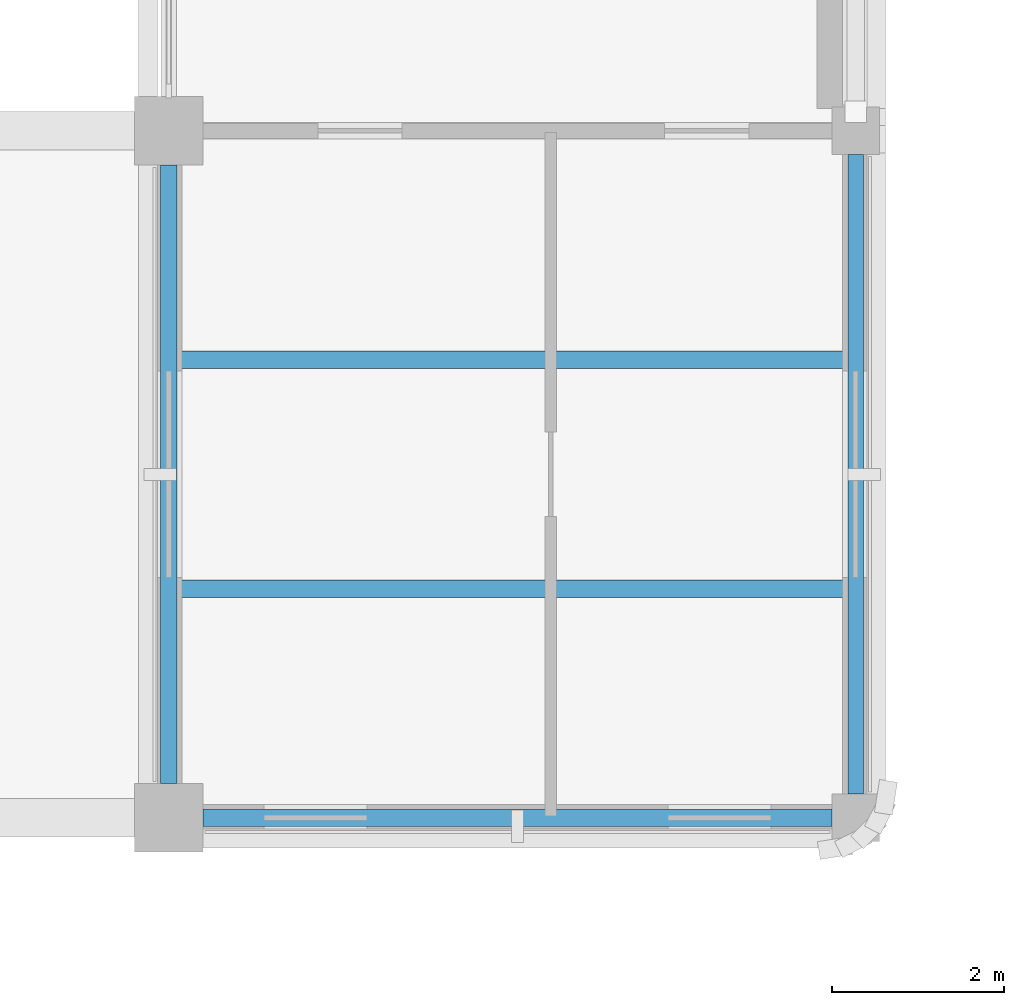
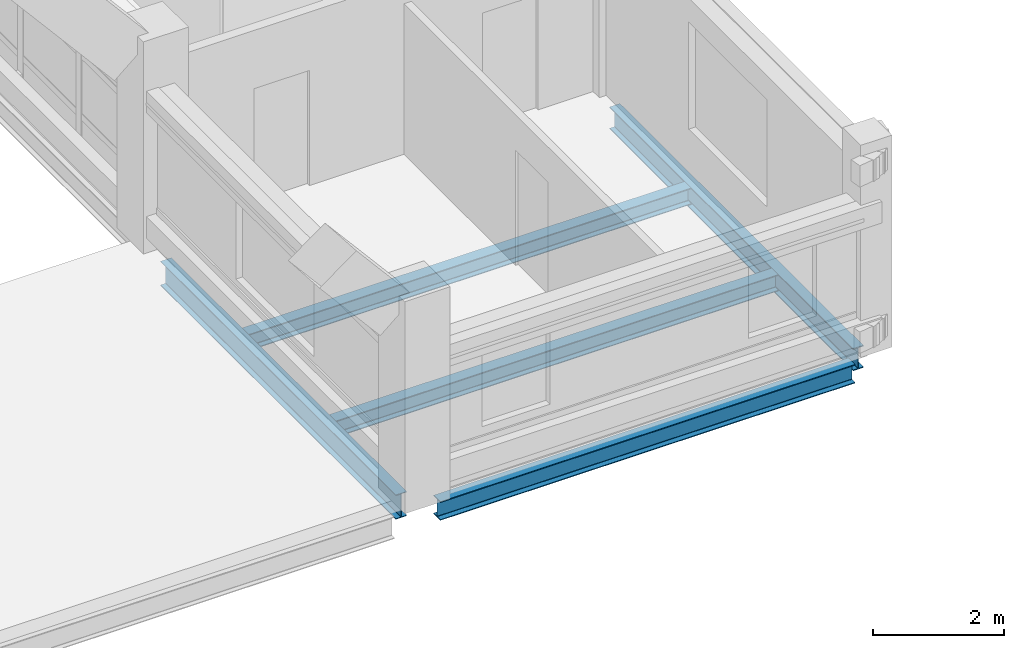
# One storey, part 16 of 92: 5 beams.
"""IFC4 building model written with IfcOpenShell, lengths in metres."""

import ifcopenshell
import ifcopenshell.guid

model = None  # the IFC model being written
_history = None  # IfcOwnerHistory: only IFC2X3 demands one
_inside = {}  # id of a spatial element -> (the spatial element, [elements in it])
_under = {}  # id of a project, library or spatial element -> (it, [spatial elements below it])
_declared = {}  # id of a project -> (the project, [libraries it declares])
_typed = {}  # id of a type object -> (the type object, [elements of that type])
_made_of = {}  # id of a material, layer set ... -> (it, [elements and type objects made of it])


def new_model(schema):
    """Start an empty IFC model of exactly this schema.

    Asked for "IFC4X3", IfcOpenShell would pick the latest addendum, in which some entities
    have other attributes; the version numbers below select the first issue.
    IFC2X3 requires an IfcOwnerHistory on every rooted entity: one is made here for all.
    """
    global model, _history
    if schema == "IFC4X3":
        model = ifcopenshell.file(schema_version=(4, 3, 0, 0))
    else:
        model = ifcopenshell.file(schema=schema)
    _inside.clear()
    _under.clear()
    _declared.clear()
    _typed.clear()
    _made_of.clear()
    _history = None
    if model.schema == "IFC2X3":
        org = make("IfcOrganization", Name="unknown")
        user = make(
            "IfcPersonAndOrganization",
            ThePerson=make("IfcPerson", FamilyName="unknown"),
            TheOrganization=org,
        )
        app = make(
            "IfcApplication",
            ApplicationDeveloper=org,
            Version="unknown",
            ApplicationFullName="unknown",
            ApplicationIdentifier="unknown",
        )
        _history = make(
            "IfcOwnerHistory",
            OwningUser=user,
            OwningApplication=app,
            ChangeAction="ADDED",
            CreationDate=0,
        )
    return model


def make(cls, **values):
    """One entity of the class cls with the attributes given. An attribute that is None is left unset."""
    return model.create_entity(
        cls, **{name: value for name, value in values.items() if value is not None}
    )


def rooted(cls, **values):
    """An entity with a GlobalId (a new one), such as an element, a storey or a relation."""
    return make(cls, GlobalId=ifcopenshell.guid.new(), OwnerHistory=_history, **values)


def si_unit(unit_type, name, prefix=None):
    """IfcSIUnit, for example si_unit("LENGTHUNIT", "METRE", prefix="MILLI")."""
    return make("IfcSIUnit", UnitType=unit_type, Prefix=prefix, Name=name)


def derived_unit(unit_type, elements):
    """IfcDerivedUnit: a product of units, each with its exponent."""
    return make(
        "IfcDerivedUnit",
        Elements=[
            make("IfcDerivedUnitElement", Unit=unit, Exponent=power)
            for unit, power in elements
        ],
        UnitType=unit_type,
    )


def assignment(units):
    """IfcUnitAssignment: the units of a project."""
    return None if units is None else make("IfcUnitAssignment", Units=units)


def point(xyz):
    """IfcCartesianPoint."""
    return None if xyz is None else make("IfcCartesianPoint", Coordinates=xyz)


def direction(xyz):
    """IfcDirection."""
    return None if xyz is None else make("IfcDirection", DirectionRatios=xyz)


def frame(location, z_axis=None, x_axis=None):
    """IfcAxis2Placement3D, a coordinate frame: its origin and axes. An axis left out is left unset."""
    return make(
        "IfcAxis2Placement3D",
        Location=point(location),
        Axis=direction(z_axis),
        RefDirection=direction(x_axis),
    )


def frame_2d(location, x_axis=None):
    """IfcAxis2Placement2D, a coordinate frame in the plane: its origin and x axis."""
    return make(
        "IfcAxis2Placement2D", Location=point(location), RefDirection=direction(x_axis)
    )


def origin():
    """The frame at (0, 0, 0) with its axes left unset."""
    return frame((0.0, 0.0, 0.0))


def origin_2d():
    """The frame at (0, 0) in the plane with its x axis left unset."""
    return frame_2d((0.0, 0.0))


def place(relative_to, where):
    """IfcLocalPlacement: puts the frame where relative to a parent placement (None: the world)."""
    return make(
        "IfcLocalPlacement", PlacementRelTo=relative_to, RelativePlacement=where
    )


def context(
    kind, dimensions, precision=None, world=None, true_north=None, identifier=None
):
    """IfcGeometricRepresentationContext, for example the 3D "Model" context."""
    return make(
        "IfcGeometricRepresentationContext",
        ContextIdentifier=identifier,
        ContextType=kind,
        CoordinateSpaceDimension=dimensions,
        Precision=precision,
        WorldCoordinateSystem=world,
        TrueNorth=true_north,
    )


def subcontext(parent, identifier, kind, view, scale=None):
    """IfcGeometricRepresentationSubContext, for example "Body" below "Model"."""
    return make(
        "IfcGeometricRepresentationSubContext",
        ContextIdentifier=identifier,
        ContextType=kind,
        ParentContext=parent,
        TargetScale=scale,
        TargetView=view,
    )


def project(units=None, contexts=None):
    """IfcProject with its units and contexts."""
    return rooted(
        "IfcProject",
        Name="project",
        RepresentationContexts=contexts,
        UnitsInContext=assignment(units),
    )


def spatial(cls, under=None, at=None, **own):
    """A site, building, storey or space (cls), placed at a placement, below another one or the project."""
    s = rooted(cls, ObjectPlacement=at, **own)
    if under is not None:
        _under.setdefault(under.id(), (under, []))[1].append(s)
    return s


def profile(cls, at=None, kind="AREA", **sizes):
    """A parametric profile (cls). Its sizes go by their IFC names, for example OverallWidth=200.0."""
    return make(cls, ProfileType=kind, Position=at, **sizes)


def i_section(**sizes):
    """IfcIShapeProfileDef."""
    return profile("IfcIShapeProfileDef", **sizes)


def extrude(swept, where, along, depth):
    """IfcExtrudedAreaSolid: the profile swept, set in the frame where, extruded along a direction by depth."""
    return make(
        "IfcExtrudedAreaSolid",
        SweptArea=swept,
        Position=where,
        ExtrudedDirection=direction(along),
        Depth=depth,
    )


def shape(context_of_items, identifier, shape_type, items):
    """IfcShapeRepresentation: the items that make up one representation, for example the "Body"."""
    return make(
        "IfcShapeRepresentation",
        ContextOfItems=context_of_items,
        RepresentationIdentifier=identifier,
        RepresentationType=shape_type,
        Items=items,
    )


def material(Name=None, Category=None):
    """IfcMaterial."""
    return make("IfcMaterial", Name=Name, Category=Category)


def material_profile(
    of_material, cross_section, Name=None, Category=None, Priority=None
):
    """IfcMaterialProfile: a cross section and its material."""
    return make(
        "IfcMaterialProfile",
        Name=Name,
        Material=of_material,
        Profile=cross_section,
        Priority=Priority,
        Category=Category,
    )


def profile_set(profiles, Name=None, composite=None):
    """IfcMaterialProfileSet."""
    return make(
        "IfcMaterialProfileSet",
        Name=Name,
        MaterialProfiles=profiles,
        CompositeProfile=composite,
    )


def made_of(thing, what):
    """Note that an element or type object is made of a material, layer set ...; save() writes the relation."""
    if what is not None:
        _made_of.setdefault(what.id(), (what, []))[1].append(thing)
    return thing


def type_object(cls, material=None, **own):
    """A type object (cls), such as IfcWallType, which elements share."""
    return made_of(rooted(cls, **own), material)


def element(
    cls,
    number,
    at=None,
    inside=None,
    cuts=None,
    type_object=None,
    material=None,
    context=None,
    identifier="Body",
    shape_type=None,
    held_by="IfcProductDefinitionShape",
    body=None,
    shapes=None,
    **own,
):
    """One element of the class cls, such as IfcWall. Its Tag is "e" and its number.

    at: its placement. inside: the storey or other place that contains it. cuts: it is an
    opening in that element (IfcRelVoidsElement). A single representation is given by context,
    identifier, shape_type and body (its items); several are given by shapes. held_by: the class
    of the entity that holds the representations. save() writes the other relations.
    """
    e = rooted(cls, Tag="e%d" % number, ObjectPlacement=at, **own)
    if body is not None:
        shapes = [shape(context, identifier, shape_type, body)]
    if shapes is not None:
        e.Representation = make(held_by, Representations=shapes)
    if inside is not None:
        _inside.setdefault(inside.id(), (inside, []))[1].append(e)
    if cuts is not None:
        rooted(
            "IfcRelVoidsElement", RelatingBuildingElement=cuts, RelatedOpeningElement=e
        )
    if type_object is not None:
        _typed.setdefault(type_object.id(), (type_object, []))[1].append(e)
    return made_of(e, material)


def aggregate(whole, parts):
    """IfcRelAggregates: a whole, such as a stair, and the parts it consists of."""
    return rooted("IfcRelAggregates", RelatingObject=whole, RelatedObjects=parts)


def save(model, path):
    """Write the relations noted so far, then the file.

    IfcRelAggregates (storeys below a building ...), IfcRelContainedInSpatialStructure (elements
    in a storey), IfcRelDefinesByType, IfcRelAssociatesMaterial and IfcRelDeclares: one each for
    every whole, place, type object, material and project.
    """
    for whole, parts in _under.values():
        aggregate(whole, parts)
    for where, things in _inside.values():
        rooted(
            "IfcRelContainedInSpatialStructure",
            RelatedElements=things,
            RelatingStructure=where,
        )
    for kind, things in _typed.values():
        rooted("IfcRelDefinesByType", RelatedObjects=things, RelatingType=kind)
    for what, things in _made_of.values():
        rooted("IfcRelAssociatesMaterial", RelatedObjects=things, RelatingMaterial=what)
    for by, libraries in _declared.values():
        rooted("IfcRelDeclares", RelatingContext=by, RelatedDefinitions=libraries)
    model.write(path)


model = new_model("IFC4")

# Units and contexts
model_context = context("Model", 3, precision=1e-05, world=origin(), true_north=direction((0.0, 1.0)))
body_context = subcontext(model_context, "Body", "Model", "MODEL_VIEW")
ifc_project = project(units=[si_unit("LENGTHUNIT", "METRE"), si_unit("AREAUNIT", "SQUARE_METRE"), si_unit("VOLUMEUNIT", "CUBIC_METRE"), si_unit("PLANEANGLEUNIT", "RADIAN"), si_unit("MASSUNIT", "GRAM", prefix="KILO"), derived_unit("THERMALTRANSMITTANCEUNIT", [(si_unit("MASSUNIT", "GRAM", prefix="KILO"), 1), (si_unit("TIMEUNIT", "SECOND"), -3), (si_unit("THERMODYNAMICTEMPERATUREUNIT", "KELVIN"), -1)])], contexts=[model_context])

# Site, building, storey
site_placement = place(None, origin())
site = spatial("IfcSite", under=ifc_project, at=site_placement, CompositionType="ELEMENT")
building_placement = place(site_placement, origin())
building = spatial("IfcBuilding", under=site, at=building_placement, Name="Veyamyaing Civic Hall", CompositionType="ELEMENT")
storey_placement = place(building_placement, frame((0.0, 0.0, 17.820068359375)))
storey = spatial("IfcBuildingStorey", under=building, at=storey_placement, Name="L04", CompositionType="ELEMENT", Elevation=17.820068359375)

# Beams
ifc_material = material(Name="Steel ASTM A992", Category="steel")
ifc_material_profile_1 = material_profile(ifc_material, i_section(OverallWidth=0.18994140625, OverallDepth=0.45703125, WebThickness=0.009033203125, FlangeThickness=0.014404296875, FilletRadius=0.010009765625, at=origin_2d()), Name="W460X74")
ifc_profile_set_1 = profile_set([ifc_material_profile_1], Name="Steel ASTM A992")
beam_type_1 = type_object("IfcBeamType", Name="B-09", PredefinedType="BEAM", material=ifc_profile_set_1)
beam_1_placement = place(storey_placement, frame((104.0, 24.39990234375, -0.468505859375), z_axis=(0.0, 1.0, 0.0), x_axis=(-1.0, 0.0, 0.0)))
element("IfcBeam", 1, at=beam_1_placement, inside=storey, type_object=beam_type_1, Name="Girder B-09 L04 Grid 14 D-E", PredefinedType="BEAM", context=body_context, shape_type="SweptSolid", body=[
    extrude(i_section(OverallWidth=0.18994140625, OverallDepth=0.45703125, WebThickness=0.009033203125, FlangeThickness=0.014404296875, FilletRadius=0.010009765625, at=origin_2d()), origin(), (0.0, 0.0, 1.0), 7.2001953125),
])
ifc_material_profile_2 = material_profile(ifc_material, i_section(OverallWidth=0.2041015625, OverallDepth=0.35009765625, WebThickness=0.0078125, FlangeThickness=0.01513671875, FilletRadius=0.010009765625, at=origin_2d()), Name="W360X72")
ifc_profile_set_2 = profile_set([ifc_material_profile_2], Name="Steel ASTM A992")
beam_type_2 = type_object("IfcBeamType", Name="B-11", PredefinedType="SPANDREL", material=ifc_profile_set_2)
beam_2_placement = place(storey_placement, frame((104.39990234375, 24.0, -0.41015625), z_axis=(1.0, 0.0, 0.0), x_axis=(0.0, 1.0, 0.0)))
element("IfcBeam", 2, at=beam_2_placement, inside=storey, type_object=beam_type_2, Name="Girder B-11 L04 Grid D 14-15", PredefinedType="SPANDREL", context=body_context, shape_type="SweptSolid", body=[
    extrude(i_section(OverallWidth=0.2041015625, OverallDepth=0.35009765625, WebThickness=0.0078125, FlangeThickness=0.01513671875, FilletRadius=0.010009765625, at=origin_2d()), origin(), (0.0, 0.0, 1.0), 7.3251953125),
])
ifc_material_profile_3 = material_profile(ifc_material, i_section(OverallWidth=0.180908203125, OverallDepth=0.4169921875, WebThickness=0.010986328125, FlangeThickness=0.018310546875, FilletRadius=0.010009765625, at=origin_2d()), Name="W410X85")
ifc_profile_set_3 = profile_set([ifc_material_profile_3], Name="Steel ASTM A992")
beam_type_3 = type_object("IfcBeamType", Name="B-19", PredefinedType="SPANDREL", material=ifc_profile_set_3)
beam_3_placement = place(storey_placement, frame((112.0, 24.27490234375, -0.443603515625), z_axis=(0.0, 1.0, 0.0), x_axis=(-1.0, 0.0, 0.0)))
element("IfcBeam", 3, at=beam_3_placement, inside=storey, type_object=beam_type_3, Name="Girder B-19 L04 Grid 15 D-E", PredefinedType="SPANDREL", context=body_context, shape_type="SweptSolid", body=[
    extrude(i_section(OverallWidth=0.180908203125, OverallDepth=0.4169921875, WebThickness=0.010986328125, FlangeThickness=0.018310546875, FilletRadius=0.010009765625, at=origin_2d()), origin(), (0.0, 0.0, 1.0), 7.4501953125),
])
ifc_material_profile_4 = material_profile(ifc_material, i_section(OverallWidth=0.2041015625, OverallDepth=0.305908203125, WebThickness=0.008544921875, FlangeThickness=0.0146484375, FilletRadius=0.010009765625, at=origin_2d()), Name="W310X67")
ifc_profile_set_4 = profile_set([ifc_material_profile_4], Name="Steel ASTM A992")
beam_type_4 = type_object("IfcBeamType", Name="J-06", PredefinedType="JOIST", material=ifc_profile_set_4)
for number, where, z_axis, x_axis, name in (
    (4, (104.093017578125, 26.666748046875, -0.39306640625), (1.0, 0.0, 0.0), (0.0, 1.0, 0.0), "Composite floor joist J-06 L04 14.4.1"),
    (5, (104.093017578125, 29.333251953125, -0.39306640625), (1.0, 0.0, 0.0), (0.0, 1.0, 0.0), "Composite floor joist J-06 L04 14.4.2"),
):
    element("IfcBeam", number, at=place(storey_placement, frame(where, z_axis=z_axis, x_axis=x_axis)), inside=storey, type_object=beam_type_4, Name=name, PredefinedType="JOIST", context=body_context, shape_type="SweptSolid", body=[
        extrude(i_section(OverallWidth=0.2041015625, OverallDepth=0.305908203125, WebThickness=0.008544921875, FlangeThickness=0.0146484375, FilletRadius=0.010009765625, at=origin_2d()), origin(), (0.0, 0.0, 1.0), 7.818603515625),
    ])

save(model, "model.ifc")
